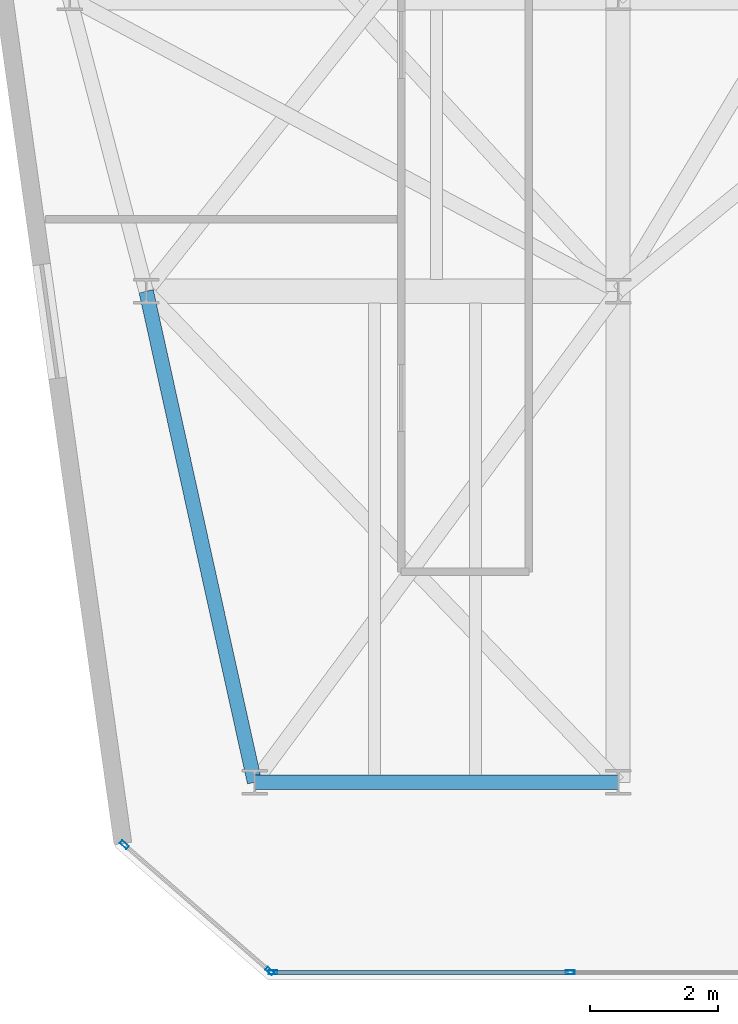
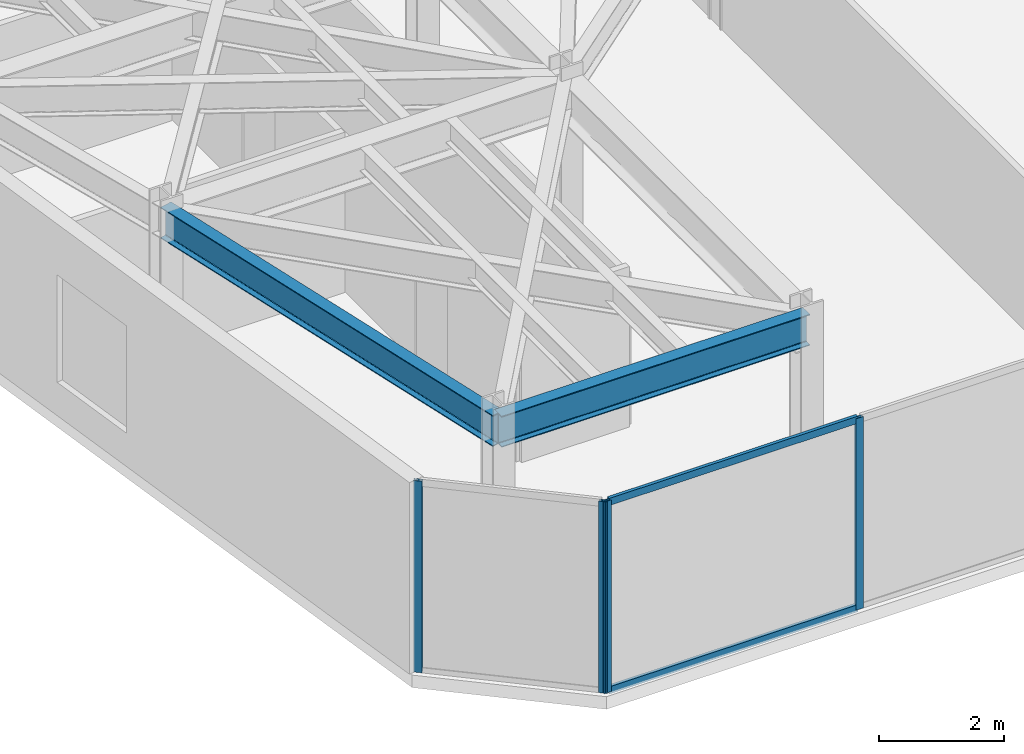
# One storey, part 2 of 21: 6 members, 2 beams, 2 elements without a shape of their own.
"""IFC4 building model written with IfcOpenShell, lengths in metres."""

from ifc_helpers import new_model, si_unit, direction, frame, origin, origin_2d, place, context, subcontext, project, spatial, hollow_rectangle, i_section, extrude, material, layer, layer_set, material_profile, profile_set, type_object, element, aggregate, save


model = new_model("IFC4")

# Units and contexts
model_context = context("Model", 3, precision=1e-05, world=origin(), true_north=direction((0.0, 1.0)))
body_context = subcontext(model_context, "Body", "Model", "MODEL_VIEW")
ifc_project = project(units=[si_unit("LENGTHUNIT", "METRE"), si_unit("AREAUNIT", "SQUARE_METRE"), si_unit("VOLUMEUNIT", "CUBIC_METRE"), si_unit("PLANEANGLEUNIT", "RADIAN"), si_unit("MASSUNIT", "GRAM", prefix="KILO")], contexts=[model_context])

# Site, building, storey
site_placement = place(None, origin())
site = spatial("IfcSite", under=ifc_project, at=site_placement, CompositionType="ELEMENT")
building_placement = place(site_placement, origin())
building = spatial("IfcBuilding", under=site, at=building_placement, Name="Kravanh Interchange Tower", CompositionType="ELEMENT")
storey_placement = place(building_placement, frame((0.0, 0.0, 216.5)))
storey = spatial("IfcBuildingStorey", under=building, at=storey_placement, Name="L52", CompositionType="ELEMENT", Elevation=216.5)

# Curtain wall, members
ifc_material_1 = material(Name="Anodised Bronze Aluminium", Category="aluminium")
ifc_layer = layer(ifc_material_1, 0.179931640625)
ifc_layer_set = layer_set([ifc_layer], Name="Unitised Curtain Wall System CW-Z3 Upper Office")
curtain_wall_type = type_object("IfcCurtainWallType", Name="Unitised Curtain Wall System CW-Z3 Upper Office", PredefinedType="NOTDEFINED", material=ifc_layer_set)
curtain_wall_1_placement = place(storey_placement, origin())
curtain_wall_1 = element("IfcCurtainWall", 1, at=curtain_wall_1_placement, inside=storey, type_object=curtain_wall_type, Name="L52 Unitised Curtain Wall CW-L52-05", PredefinedType="NOTDEFINED")
ifc_material_2 = material(Name="Anodised Bronze Aluminium", Category="aluminium")
ifc_material_profile_1 = material_profile(ifc_material_2, hollow_rectangle(XDim=0.06005859375, YDim=0.139892578125, WallThickness=0.00390625, at=origin_2d()), Name="ALU60X140X4")
ifc_profile_set_1 = profile_set([ifc_material_profile_1], Name="Anodised Bronze Aluminium")
member_type_1 = type_object("IfcMemberType", Name="Curtain Wall Mullion ALU60X140X4 Bronze", PredefinedType="MULLION", material=ifc_profile_set_1)
member_1_placement = place(storey_placement, frame((26.447998046875, 11.52001953125, 0.0), z_axis=(0.0, 0.0, 1.0), x_axis=(0.0, -1.0, 0.0)))
member_1 = element("IfcMember", 2, at=member_1_placement, type_object=member_type_1, Name="CW-Z3 mullion 2", PredefinedType="MULLION", context=body_context, shape_type="SweptSolid", body=[
    extrude(hollow_rectangle(XDim=0.06005859375, YDim=0.139892578125, WallThickness=0.00390625, at=origin_2d()), origin(), (0.0, 0.0, 1.0), 3.7451171875),
])
member_2_placement = place(storey_placement, frame((21.7890625, 11.52001953125, 0.0), z_axis=(0.0, 0.0, 1.0), x_axis=(0.0, -1.0, 0.0)))
member_2 = element("IfcMember", 3, at=member_2_placement, type_object=member_type_1, Name="CW-Z3 mullion 3", PredefinedType="MULLION", context=body_context, shape_type="SweptSolid", body=[
    extrude(hollow_rectangle(XDim=0.06005859375, YDim=0.139892578125, WallThickness=0.00390625, at=origin_2d()), origin(), (0.0, 0.0, 1.0), 3.7451171875),
])

curtain_wall_2_placement = place(storey_placement, origin())
curtain_wall_2 = element("IfcCurtainWall", 4, at=curtain_wall_2_placement, inside=storey, type_object=curtain_wall_type, Name="L52 Unitised Curtain Wall CW-L52-06", PredefinedType="NOTDEFINED")
member_3_placement = place(storey_placement, frame((21.736328125, 11.539794921875, 0.0), z_axis=(0.0, 0.0, 1.0), x_axis=(-0.65605090137, -0.754716645379, 0.0)))
member_3 = element("IfcMember", 5, at=member_3_placement, type_object=member_type_1, Name="CW-Z3 mullion 1", PredefinedType="MULLION", context=body_context, shape_type="SweptSolid", body=[
    extrude(hollow_rectangle(XDim=0.06005859375, YDim=0.139892578125, WallThickness=0.00390625, at=origin_2d()), origin(), (0.0, 0.0, 1.0), 3.7451171875),
])
member_4_placement = place(storey_placement, frame((19.45703125, 13.52099609375, 0.0), z_axis=(0.0, 0.0, 1.0), x_axis=(-0.65605090137, -0.754716645379, 0.0)))
member_4 = element("IfcMember", 6, at=member_4_placement, type_object=member_type_1, Name="CW-Z3 mullion 2", PredefinedType="MULLION", context=body_context, shape_type="SweptSolid", body=[
    extrude(hollow_rectangle(XDim=0.06005859375, YDim=0.139892578125, WallThickness=0.00390625, at=origin_2d()), origin(), (0.0, 0.0, 1.0), 3.7451171875),
])
aggregate(curtain_wall_2, [member_3, member_4])

# Member
ifc_material_3 = material(Name="Anodised Bronze Aluminium", Category="aluminium")
ifc_material_profile_2 = material_profile(ifc_material_3, hollow_rectangle(XDim=0.06005859375, YDim=0.139892578125, WallThickness=0.00390625, at=origin_2d()), Name="ALU60X140X4")
ifc_profile_set_2 = profile_set([ifc_material_profile_2], Name="Anodised Bronze Aluminium")
member_type_2 = type_object("IfcMemberType", Name="Curtain Wall Transom ALU60X140X4 Bronze", PredefinedType="USERDEFINED", material=ifc_profile_set_2)
member_5_placement = place(storey_placement, frame((26.41796875, 11.52001953125, 0.030029296875), z_axis=(-1.0, 0.0, 0.0), x_axis=(0.0, -1.0, 0.0)))
member_5 = element("IfcMember", 7, at=member_5_placement, type_object=member_type_2, Name="CW-Z3 transom 2.1", ObjectType="TRANSOM", PredefinedType="USERDEFINED", context=body_context, shape_type="SweptSolid", body=[
    extrude(hollow_rectangle(XDim=0.06005859375, YDim=0.139892578125, WallThickness=0.00390625, at=origin_2d()), origin(), (0.0, 0.0, 1.0), 4.598876953125),
])

member_6_placement = place(storey_placement, frame((26.41796875, 11.52001953125, 3.715087890625), z_axis=(-1.0, 0.0, 0.0), x_axis=(0.0, -1.0, 0.0)))
member_6 = element("IfcMember", 8, at=member_6_placement, type_object=member_type_2, Name="CW-Z3 transom 2.2", ObjectType="TRANSOM", PredefinedType="USERDEFINED", context=body_context, shape_type="SweptSolid", body=[
    extrude(hollow_rectangle(XDim=0.06005859375, YDim=0.139892578125, WallThickness=0.00390625, at=origin_2d()), origin(), (0.0, 0.0, 1.0), 4.598876953125),
])

aggregate(curtain_wall_1, [member_1, member_2, member_5, member_6])

# Beams
ifc_material_4 = material(Name="Structural Steel S355", Category="steel")
ifc_material_profile_3 = material_profile(ifc_material_4, i_section(OverallWidth=0.22802734375, OverallDepth=0.60791015625, WebThickness=0.01123046875, FlangeThickness=0.017333984375, FilletRadius=0.02197265625, at=origin_2d()), Name="W24X76")
ifc_profile_set_3 = profile_set([ifc_material_profile_3], Name="Structural Steel S355")
beam_type = type_object("IfcBeamType", Name="Floor Spandrel W24X76 Structural Steel S355", PredefinedType="SPANDREL", material=ifc_profile_set_3)
beam_1_placement = place(storey_placement, frame((21.5, 14.5, 3.44091796875), z_axis=(1.0, 0.0, 0.0), x_axis=(0.0, 1.0, 0.0)))
element("IfcBeam", 9, at=beam_1_placement, inside=storey, type_object=beam_type, Name="L52 Perimeter Spandrel 30", PredefinedType="SPANDREL", context=body_context, shape_type="SweptSolid", body=[
    extrude(i_section(OverallWidth=0.22802734375, OverallDepth=0.60791015625, WebThickness=0.01123046875, FlangeThickness=0.017333984375, FilletRadius=0.02197265625, at=origin_2d()), origin(), (0.0, 0.0, 1.0), 5.699951171875),
])
beam_2_placement = place(storey_placement, frame((21.5, 14.5, 3.44091796875), z_axis=(-0.215582892261, 0.976485543449, 0.0), x_axis=(-0.976485543449, -0.215582892261, 0.0)))
element("IfcBeam", 10, at=beam_2_placement, inside=storey, type_object=beam_type, Name="L52 Perimeter Spandrel 31", PredefinedType="SPANDREL", context=body_context, shape_type="SweptSolid", body=[
    extrude(i_section(OverallWidth=0.22802734375, OverallDepth=0.60791015625, WebThickness=0.01123046875, FlangeThickness=0.017333984375, FilletRadius=0.02197265625, at=origin_2d()), origin(), (0.0, 0.0, 1.0), 7.88525390625),
])

save(model, "model.ifc")
